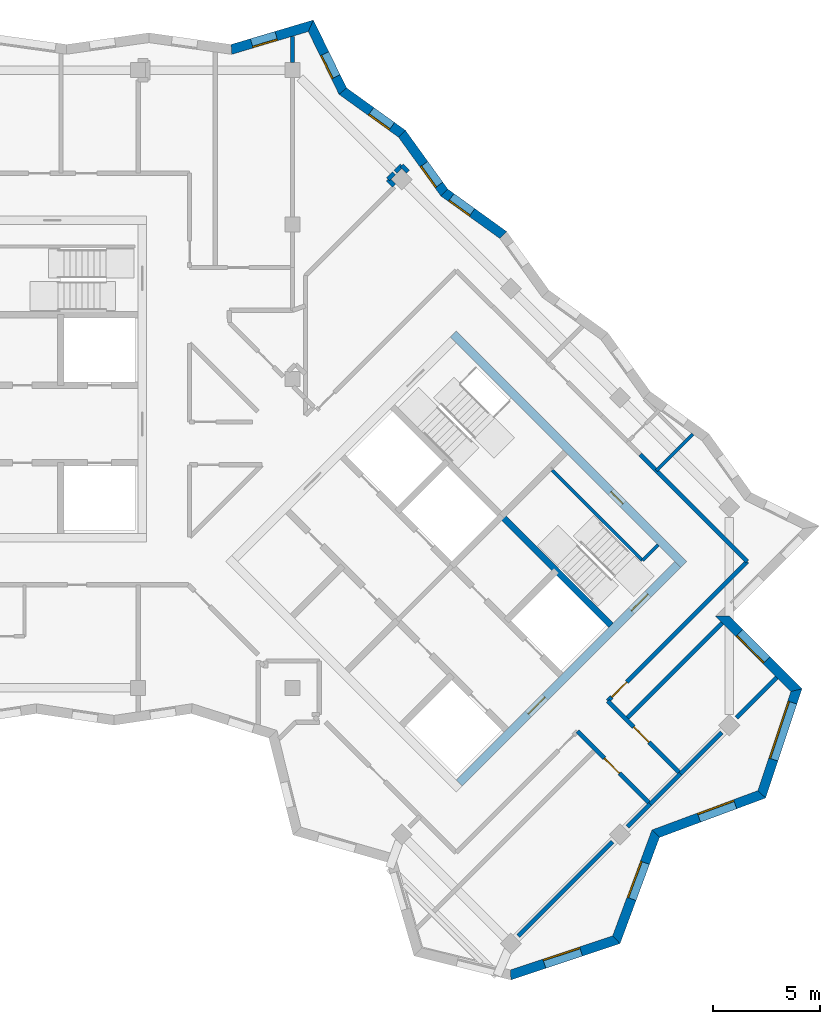
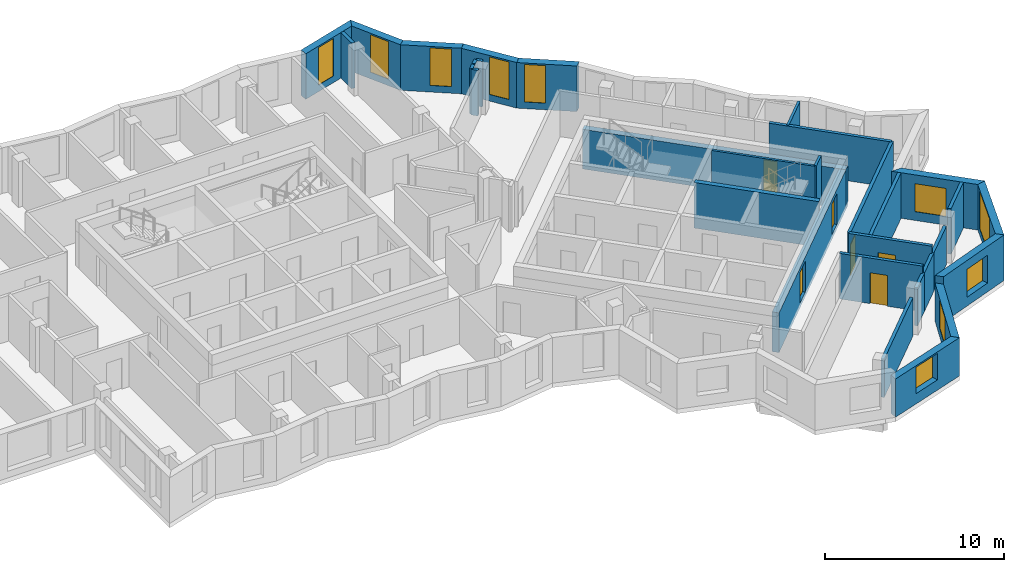
# One storey, part 7 of 11: 31 walls, 10 windows, 6 doors, 16 openings.
"""IFC4 building model written with IfcOpenShell, lengths in metres."""

from ifc_helpers import new_model, si_unit, direction, frame, frame_2d, origin, place, context, subcontext, project, spatial, polyline, rectangle, outline, extrude, material, layer, layer_set, type_object, element, fill, save


model = new_model("IFC4")

# Units and contexts
model_context = context("Model", 3, precision=1e-05, world=origin(), true_north=direction((0.0, 1.0)))
body_context = subcontext(model_context, "Body", "Model", "MODEL_VIEW")
ifc_project = project(units=[si_unit("LENGTHUNIT", "METRE"), si_unit("AREAUNIT", "SQUARE_METRE"), si_unit("VOLUMEUNIT", "CUBIC_METRE"), si_unit("PLANEANGLEUNIT", "RADIAN"), si_unit("MASSUNIT", "GRAM", prefix="KILO")], contexts=[model_context])

# Site, building, storey
site_placement = place(None, origin())
site = spatial("IfcSite", under=ifc_project, at=site_placement, CompositionType="ELEMENT")
building_placement = place(site_placement, origin())
building = spatial("IfcBuilding", under=site, at=building_placement, Name="Windrow Commons", CompositionType="ELEMENT")
storey_placement = place(building_placement, frame((0.0, 0.0, 271.0)))
storey = spatial("IfcBuildingStorey", under=building, at=storey_placement, Name="L74", CompositionType="ELEMENT", Elevation=271.0)

# Wall, opening, window
ifc_material_1 = material(Name="Brick masonry, red clay brick", Category="masonry")
ifc_layer_1 = layer(ifc_material_1, 0.45)
ifc_layer_set_1 = layer_set([ifc_layer_1], Name="Brick facade wall 450")
wall_type_1 = type_object("IfcWallType", Name="Brick facade wall 450", PredefinedType="SOLIDWALL", material=ifc_layer_set_1)
wall_1_placement = place(storey_placement, frame((89.3732, 29.8077, 0.0), z_axis=(0.0, 0.0, 1.0), x_axis=(0.9486832981, 0.316227766, 0.0)))
wall_1 = element("IfcWall", 1, at=wall_1_placement, inside=storey, type_object=wall_type_1, Name="Brick facade wall L74 1", PredefinedType="SOLIDWALL", context=body_context, shape_type="SweptSolid", body=[
    extrude(outline(polyline([(-0.0654, -0.225), (5.3012, -0.225), (5.0856, 0.225), (0.0654, 0.225), (-0.0654, -0.225)])), origin(), (0.0, 0.0, 1.0), 2.6),
])
opening_1_placement = place(wall_1_placement, frame((1.6581, 0.0, 0.7)))
opening_1 = element("IfcOpeningElement", 2, at=opening_1_placement, cuts=wall_1, Name="Opening W1M", PredefinedType="OPENING", context=body_context, shape_type="SweptSolid", body=[
    extrude(rectangle(XDim=1.8, YDim=1.8, at=frame_2d((0.9, 0.9))), frame((0.0, 0.235, 0.0), z_axis=(0.0, -1.0, 0.0), x_axis=(1.0, 0.0, 0.0)), (0.0, 0.0, 1.0), 0.47),
])
ifc_material_2 = material(Name="Clear float glass in anodised aluminium frame", Category="aluminium")
window_type_1 = type_object("IfcWindowType", Name="Window W1M bedroom 1800x1800", PartitioningType="SINGLE_PANEL", PredefinedType="WINDOW", material=ifc_material_2)
window_1_placement = place(opening_1_placement, origin())
window_1 = element("IfcWindow", 3, at=window_1_placement, inside=storey, type_object=window_type_1, Name="Window L74 1.1", OverallHeight=1.8, OverallWidth=1.8, PartitioningType="SINGLE_PANEL", PredefinedType="WINDOW", context=body_context, shape_type="SweptSolid", body=[
    extrude(rectangle(XDim=1.8, YDim=1.8, at=frame_2d((0.9, 0.9))), frame((0.0, 0.205, 0.0), z_axis=(0.0, -1.0, 0.0), x_axis=(1.0, 0.0, 0.0)), (0.0, 0.0, 1.0), 0.06),
])
fill(opening_1, window_1)

wall_2_placement = place(storey_placement, frame((94.3001, 31.45, 0.0), z_axis=(0.0, 0.0, 1.0), x_axis=(0.3481927166, 0.9374229739, 0.0)))
wall_2 = element("IfcWall", 4, at=wall_2_placement, inside=storey, type_object=wall_type_1, Name="Brick facade wall L74 2", PredefinedType="SOLIDWALL", context=body_context, shape_type="SweptSolid", body=[
    extrude(outline(polyline([(-0.1078, -0.225), (5.1724, -0.225), (5.3786, 0.225), (0.1078, 0.225), (-0.1078, -0.225)])), origin(), (0.0, 0.0, 1.0), 2.6),
])
opening_2_placement = place(wall_2_placement, frame((2.0336, 0.0, 0.6)))
opening_2 = element("IfcOpeningElement", 5, at=opening_2_placement, cuts=wall_2, Name="Opening W1L", PredefinedType="OPENING", context=body_context, shape_type="SweptSolid", body=[
    extrude(rectangle(XDim=1.8, YDim=1.9, at=frame_2d((0.9, 0.95))), frame((0.0, 0.235, 0.0), z_axis=(0.0, -1.0, 0.0), x_axis=(1.0, 0.0, 0.0)), (0.0, 0.0, 1.0), 0.47),
])
ifc_material_3 = material(Name="Clear float glass in anodised aluminium frame", Category="aluminium")
window_type_2 = type_object("IfcWindowType", Name="Window W1L bedroom 1800x1900", PartitioningType="SINGLE_PANEL", PredefinedType="WINDOW", material=ifc_material_3)
window_2_placement = place(opening_2_placement, origin())
window_2 = element("IfcWindow", 6, at=window_2_placement, inside=storey, type_object=window_type_2, Name="Window L74 2.1", OverallHeight=1.9, OverallWidth=1.8, PartitioningType="SINGLE_PANEL", PredefinedType="WINDOW", context=body_context, shape_type="SweptSolid", body=[
    extrude(rectangle(XDim=1.8, YDim=1.9, at=frame_2d((0.9, 0.95))), frame((0.0, 0.205, 0.0), z_axis=(0.0, -1.0, 0.0), x_axis=(1.0, 0.0, 0.0)), (0.0, 0.0, 1.0), 0.06),
])
fill(opening_2, window_2)

wall_3_placement = place(storey_placement, frame((96.137, 36.3954, 0.0), z_axis=(0.0, 0.0, 1.0), x_axis=(0.937429161, 0.3481760591, 0.0)))
wall_3 = element("IfcWall", 7, at=wall_3_placement, inside=storey, type_object=wall_type_1, Name="Brick facade wall L74 3", PredefinedType="SOLIDWALL", context=body_context, shape_type="SweptSolid", body=[
    extrude(outline(polyline([(0.1031, -0.225), (5.3833, -0.225), (5.1677, 0.225), (-0.1031, 0.225), (0.1031, -0.225)])), origin(), (0.0, 0.0, 1.0), 3.1),
])
opening_3_placement = place(wall_3_placement, frame((2.1509, 0.0, 0.6)))
opening_3 = element("IfcOpeningElement", 8, at=opening_3_placement, cuts=wall_3, Name="Opening W1L", PredefinedType="OPENING", context=body_context, shape_type="SweptSolid", body=[
    extrude(rectangle(XDim=1.8, YDim=1.9, at=frame_2d((0.9, 0.95))), frame((0.0, 0.235, 0.0), z_axis=(0.0, -1.0, 0.0), x_axis=(1.0, 0.0, 0.0)), (0.0, 0.0, 1.0), 0.47),
])
window_3_placement = place(opening_3_placement, origin())
window_3 = element("IfcWindow", 9, at=window_3_placement, inside=storey, type_object=window_type_2, Name="Window L74 3.1", OverallHeight=1.9, OverallWidth=1.8, PartitioningType="SINGLE_PANEL", PredefinedType="WINDOW", context=body_context, shape_type="SweptSolid", body=[
    extrude(rectangle(XDim=1.8, YDim=1.9, at=frame_2d((0.9, 0.95))), frame((0.0, 0.205, 0.0), z_axis=(0.0, -1.0, 0.0), x_axis=(1.0, 0.0, 0.0)), (0.0, 0.0, 1.0), 0.06),
])
fill(opening_3, window_3)

wall_4_placement = place(storey_placement, frame((101.0824, 38.2322, 0.0), z_axis=(0.0, 0.0, 1.0), x_axis=(0.316227766, 0.9486832981, 0.0)))
wall_4 = element("IfcWall", 10, at=wall_4_placement, inside=storey, type_object=wall_type_1, Name="Brick facade wall L74 4", PredefinedType="SOLIDWALL", context=body_context, shape_type="SweptSolid", body=[
    extrude(outline(polyline([(-0.1078, -0.225), (5.2588, -0.225), (4.9807, 0.225), (0.1078, 0.225), (-0.1078, -0.225)])), origin(), (0.0, 0.0, 1.0), 3.1),
])
opening_4_placement = place(wall_4_placement, frame((1.7112, 0.0, 0.45)))
opening_4 = element("IfcOpeningElement", 11, at=opening_4_placement, cuts=wall_4, Name="Opening W1V", PredefinedType="OPENING", context=body_context, shape_type="SweptSolid", body=[
    extrude(rectangle(XDim=2.8, YDim=2.55, at=frame_2d((1.4, 1.275))), frame((0.0, 0.235, 0.0), z_axis=(0.0, -1.0, 0.0), x_axis=(1.0, 0.0, 0.0)), (0.0, 0.0, 1.0), 0.47),
])
ifc_material_4 = material(Name="Clear float glass in anodised aluminium frame", Category="aluminium")
window_type_3 = type_object("IfcWindowType", Name="Window W1V bedroom 2800x2550", PartitioningType="SINGLE_PANEL", PredefinedType="WINDOW", material=ifc_material_4)
window_4_placement = place(opening_4_placement, origin())
window_4 = element("IfcWindow", 12, at=window_4_placement, inside=storey, type_object=window_type_3, Name="Window L74 4.1", OverallHeight=2.55, OverallWidth=2.8, PartitioningType="SINGLE_PANEL", PredefinedType="WINDOW", context=body_context, shape_type="SweptSolid", body=[
    extrude(rectangle(XDim=2.8, YDim=2.55, at=frame_2d((1.4, 1.275))), frame((0.0, 0.205, 0.0), z_axis=(0.0, -1.0, 0.0), x_axis=(1.0, 0.0, 0.0)), (0.0, 0.0, 1.0), 0.06),
])
fill(opening_4, window_4)

wall_5_placement = place(storey_placement, frame((102.7014, 43.0892, 0.0), z_axis=(0.0, 0.0, 1.0), x_axis=(-0.7070965479, 0.7071170144, 0.0)))
wall_5 = element("IfcWall", 13, at=wall_5_placement, inside=storey, type_object=wall_type_1, Name="Brick facade wall L74 5", PredefinedType="SOLIDWALL", context=body_context, shape_type="SweptSolid", body=[
    extrude(outline(polyline([(-0.1391, -0.225), (4.661, -0.225), (5.111, 0.225), (0.1391, 0.225), (-0.1391, -0.225)])), origin(), (0.0, 0.0, 1.0), 3.1),
])
opening_5_placement = place(wall_5_placement, frame((1.9735, 0.0, 0.6)))
opening_5 = element("IfcOpeningElement", 14, at=opening_5_placement, cuts=wall_5, Name="Opening W1L", PredefinedType="OPENING", context=body_context, shape_type="SweptSolid", body=[
    extrude(rectangle(XDim=1.8, YDim=1.9, at=frame_2d((0.9, 0.95))), frame((0.0, 0.235, 0.0), z_axis=(0.0, -1.0, 0.0), x_axis=(1.0, 0.0, 0.0)), (0.0, 0.0, 1.0), 0.47),
])
window_5_placement = place(opening_5_placement, origin())
window_5 = element("IfcWindow", 15, at=window_5_placement, inside=storey, type_object=window_type_2, Name="Window L74 5.1", OverallHeight=1.9, OverallWidth=1.8, PartitioningType="SINGLE_PANEL", PredefinedType="WINDOW", context=body_context, shape_type="SweptSolid", body=[
    extrude(rectangle(XDim=1.8, YDim=1.9, at=frame_2d((0.9, 0.95))), frame((0.0, 0.205, 0.0), z_axis=(0.0, -1.0, 0.0), x_axis=(1.0, 0.0, 0.0)), (0.0, 0.0, 1.0), 0.06),
])
fill(opening_5, window_5)

wall_6_placement = place(storey_placement, frame((89.0232, 64.3181, 0.0), z_axis=(0.0, 0.0, 1.0), x_axis=(-0.8113362462, 0.5845797599, 0.0)))
wall_6 = element("IfcWall", 16, at=wall_6_placement, inside=storey, type_object=wall_type_1, Name="Brick facade wall L74 13", PredefinedType="SOLIDWALL", context=body_context, shape_type="SweptSolid", body=[
    extrude(outline(polyline([(-0.0365, -0.225), (3.3442, -0.225), (3.4173, 0.225), (0.0365, 0.225), (-0.0365, -0.225)])), origin(), (0.0, 0.0, 1.0), 3.1),
])
opening_6_placement = place(wall_6_placement, frame((1.7897, 0.0, 0.45)))
opening_6 = element("IfcOpeningElement", 17, at=opening_6_placement, cuts=wall_6, Name="Opening W7F", PredefinedType="OPENING", context=body_context, shape_type="SweptSolid", body=[
    extrude(rectangle(XDim=1.2, YDim=2.55, at=frame_2d((0.6, 1.275))), frame((0.0, 0.235, 0.0), z_axis=(0.0, -1.0, 0.0), x_axis=(1.0, 0.0, 0.0)), (0.0, 0.0, 1.0), 0.47),
])
ifc_material_5 = material(Name="Clear float glass in anodised aluminium frame", Category="aluminium")
window_type_4 = type_object("IfcWindowType", Name="Window W7 notch 1200x2550", PartitioningType="SINGLE_PANEL", PredefinedType="WINDOW", material=ifc_material_5)
window_6_placement = place(opening_6_placement, origin())
window_6 = element("IfcWindow", 18, at=window_6_placement, inside=storey, type_object=window_type_4, Name="Window L74 13.1", OverallHeight=2.55, OverallWidth=1.2, PartitioningType="SINGLE_PANEL", PredefinedType="WINDOW", context=body_context, shape_type="SweptSolid", body=[
    extrude(rectangle(XDim=1.2, YDim=2.55, at=frame_2d((0.6, 1.275))), frame((0.0, 0.205, 0.0), z_axis=(0.0, -1.0, 0.0), x_axis=(1.0, 0.0, 0.0)), (0.0, 0.0, 1.0), 0.06),
])
fill(opening_6, window_6)

wall_7_placement = place(storey_placement, frame((86.2803, 66.2944, 0.0), z_axis=(0.0, 0.0, 1.0), x_axis=(-0.5845992306, 0.8113222169, 0.0)))
wall_7 = element("IfcWall", 19, at=wall_7_placement, inside=storey, type_object=wall_type_1, Name="Brick facade wall L74 14", PredefinedType="SOLIDWALL", context=body_context, shape_type="SweptSolid", body=[
    extrude(outline(polyline([(0.0365, -0.225), (3.4173, -0.225), (3.3442, 0.225), (-0.0365, 0.225), (0.0365, -0.225)])), origin(), (0.0, 0.0, 1.0), 3.1),
])
opening_7_placement = place(wall_7_placement, frame((0.4325, 0.0, 0.45)))
opening_7 = element("IfcOpeningElement", 20, at=opening_7_placement, cuts=wall_7, Name="Opening W7F", PredefinedType="OPENING", context=body_context, shape_type="SweptSolid", body=[
    extrude(rectangle(XDim=1.2, YDim=2.55, at=frame_2d((0.6, 1.275))), frame((0.0, 0.235, 0.0), z_axis=(0.0, -1.0, 0.0), x_axis=(1.0, 0.0, 0.0)), (0.0, 0.0, 1.0), 0.47),
])
window_7_placement = place(opening_7_placement, origin())
window_7 = element("IfcWindow", 21, at=window_7_placement, inside=storey, type_object=window_type_4, Name="Window L74 14.1", OverallHeight=2.55, OverallWidth=1.2, PartitioningType="SINGLE_PANEL", PredefinedType="WINDOW", context=body_context, shape_type="SweptSolid", body=[
    extrude(rectangle(XDim=1.2, YDim=2.55, at=frame_2d((0.6, 1.275))), frame((0.0, 0.205, 0.0), z_axis=(0.0, -1.0, 0.0), x_axis=(1.0, 0.0, 0.0)), (0.0, 0.0, 1.0), 0.06),
])
fill(opening_7, window_7)

wall_8_placement = place(storey_placement, frame((84.3039, 69.0373, 0.0), z_axis=(0.0, 0.0, 1.0), x_axis=(-0.8113122888, 0.5846130088, 0.0)))
wall_8 = element("IfcWall", 22, at=wall_8_placement, inside=storey, type_object=wall_type_1, Name="Brick facade wall L74 15", PredefinedType="SOLIDWALL", context=body_context, shape_type="SweptSolid", body=[
    extrude(outline(polyline([(-0.0365, -0.225), (3.3442, -0.225), (3.4569, 0.225), (0.0365, 0.225), (-0.0365, -0.225)])), origin(), (0.0, 0.0, 1.0), 3.1),
])
opening_8_placement = place(wall_8_placement, frame((0.584, 0.0, 0.45)))
opening_8 = element("IfcOpeningElement", 23, at=opening_8_placement, cuts=wall_8, Name="Opening W7F", PredefinedType="OPENING", context=body_context, shape_type="SweptSolid", body=[
    extrude(rectangle(XDim=1.2, YDim=2.55, at=frame_2d((0.6, 1.275))), frame((0.0, 0.235, 0.0), z_axis=(0.0, -1.0, 0.0), x_axis=(1.0, 0.0, 0.0)), (0.0, 0.0, 1.0), 0.47),
])
window_8_placement = place(opening_8_placement, origin())
window_8 = element("IfcWindow", 24, at=window_8_placement, inside=storey, type_object=window_type_4, Name="Window L74 15.1", OverallHeight=2.55, OverallWidth=1.2, PartitioningType="SINGLE_PANEL", PredefinedType="WINDOW", context=body_context, shape_type="SweptSolid", body=[
    extrude(rectangle(XDim=1.2, YDim=2.55, at=frame_2d((0.6, 1.275))), frame((0.0, 0.205, 0.0), z_axis=(0.0, -1.0, 0.0), x_axis=(1.0, 0.0, 0.0)), (0.0, 0.0, 1.0), 0.06),
])
fill(opening_8, window_8)

wall_9_placement = place(storey_placement, frame((81.545, 71.0253, 0.0), z_axis=(0.0, 0.0, 1.0), x_axis=(-0.4400668213, 0.8979650287, 0.0)))
wall_9 = element("IfcWall", 25, at=wall_9_placement, inside=storey, type_object=wall_type_1, Name="Brick facade wall L74 16", PredefinedType="SOLIDWALL", context=body_context, shape_type="SweptSolid", body=[
    extrude(outline(polyline([(0.0563, -0.225), (3.5833, -0.225), (3.2026, 0.225), (-0.0563, 0.225), (0.0563, -0.225)])), origin(), (0.0, 0.0, 1.0), 3.1),
])
opening_9_placement = place(wall_9_placement, frame((0.7405, 0.0, 0.45)))
opening_9 = element("IfcOpeningElement", 26, at=opening_9_placement, cuts=wall_9, Name="Opening W7F", PredefinedType="OPENING", context=body_context, shape_type="SweptSolid", body=[
    extrude(rectangle(XDim=1.2, YDim=2.55, at=frame_2d((0.6, 1.275))), frame((0.0, 0.235, 0.0), z_axis=(0.0, -1.0, 0.0), x_axis=(1.0, 0.0, 0.0)), (0.0, 0.0, 1.0), 0.47),
])
window_9_placement = place(opening_9_placement, origin())
window_9 = element("IfcWindow", 27, at=window_9_placement, inside=storey, type_object=window_type_4, Name="Window L74 16.1", OverallHeight=2.55, OverallWidth=1.2, PartitioningType="SINGLE_PANEL", PredefinedType="WINDOW", context=body_context, shape_type="SweptSolid", body=[
    extrude(rectangle(XDim=1.2, YDim=2.55, at=frame_2d((0.6, 1.275))), frame((0.0, 0.205, 0.0), z_axis=(0.0, -1.0, 0.0), x_axis=(1.0, 0.0, 0.0)), (0.0, 0.0, 1.0), 0.06),
])
fill(opening_9, window_9)

wall_10_placement = place(storey_placement, frame((80.0519, 74.072, 0.0), z_axis=(0.0, 0.0, 1.0), x_axis=(-0.9584412894, -0.2852898434, 0.0)))
wall_10 = element("IfcWall", 28, at=wall_10_placement, inside=storey, type_object=wall_type_1, Name="Brick facade wall L74 17", PredefinedType="SOLIDWALL", context=body_context, shape_type="SweptSolid", body=[
    extrude(outline(polyline([(-0.1904, -0.225), (3.8126, -0.225), (3.9108, 0.225), (0.1904, 0.225), (-0.1904, -0.225)])), origin(), (0.0, 0.0, 1.0), 3.1),
])
opening_10_placement = place(wall_10_placement, frame((1.6752, 0.0, 0.45)))
opening_10 = element("IfcOpeningElement", 29, at=opening_10_placement, cuts=wall_10, Name="Opening W7F", PredefinedType="OPENING", context=body_context, shape_type="SweptSolid", body=[
    extrude(rectangle(XDim=1.2, YDim=2.55, at=frame_2d((0.6, 1.275))), frame((0.0, 0.235, 0.0), z_axis=(0.0, -1.0, 0.0), x_axis=(1.0, 0.0, 0.0)), (0.0, 0.0, 1.0), 0.47),
])
window_10_placement = place(opening_10_placement, origin())
window_10 = element("IfcWindow", 30, at=window_10_placement, inside=storey, type_object=window_type_4, Name="Window L74 17.1", OverallHeight=2.55, OverallWidth=1.2, PartitioningType="SINGLE_PANEL", PredefinedType="WINDOW", context=body_context, shape_type="SweptSolid", body=[
    extrude(rectangle(XDim=1.2, YDim=2.55, at=frame_2d((0.6, 1.275))), frame((0.0, 0.205, 0.0), z_axis=(0.0, -1.0, 0.0), x_axis=(1.0, 0.0, 0.0)), (0.0, 0.0, 1.0), 0.06),
])
fill(opening_10, window_10)

# Wall, opening, door
ifc_material_6 = material(Name="Blockwork partition", Category="masonry")
ifc_layer_2 = layer(ifc_material_6, 0.2)
ifc_layer_set_2 = layer_set([ifc_layer_2], Name="IW-CORRIDOR-200")
wall_type_2 = type_object("IfcWallType", Name="IW-CORRIDOR-200", PredefinedType="PARTITIONING", material=ifc_layer_set_2)
wall_11_placement = place(storey_placement, frame((93.9079, 42.5861, 0.0), z_axis=(0.0, 0.0, 1.0), x_axis=(0.7071067812, 0.7071067812, 0.0)))
wall_11 = element("IfcWall", 31, at=wall_11_placement, inside=storey, type_object=wall_type_2, Name="W-L74-W011", PredefinedType="PARTITIONING", context=body_context, shape_type="SweptSolid", body=[
    extrude(rectangle(XDim=9.198, YDim=0.2, at=frame_2d((4.599, 0.0))), origin(), (0.0, 0.0, 1.0), 3.1),
])
opening_11_placement = place(wall_11_placement, frame((0.2541, 0.0, 0.0)))
opening_11 = element("IfcOpeningElement", 32, at=opening_11_placement, cuts=wall_11, Name="Opening D310F", PredefinedType="OPENING", context=body_context, shape_type="SweptSolid", body=[
    extrude(rectangle(XDim=1.0, YDim=2.1, at=frame_2d((0.5, 1.05))), frame((0.0, 0.11, 0.0), z_axis=(0.0, -1.0, 0.0), x_axis=(1.0, 0.0, 0.0)), (0.0, 0.0, 1.0), 0.22),
])
ifc_material_7 = material(Name="Timber door leaf", Category="wood")
door_type_1 = type_object("IfcDoorType", Name="DT-AMENITY-1000", OperationType="SINGLE_SWING_LEFT", PredefinedType="DOOR", material=ifc_material_7)
door_1_placement = place(opening_11_placement, origin())
door_1 = element("IfcDoor", 33, at=door_1_placement, inside=storey, type_object=door_type_1, Name="D-L74-D030", OperationType="SINGLE_SWING_RIGHT", OverallHeight=2.1, OverallWidth=1.0, PredefinedType="DOOR", context=body_context, shape_type="SweptSolid", body=[
    extrude(rectangle(XDim=1.0, YDim=2.1, at=frame_2d((0.5, 1.05))), frame((0.0, 0.025, 0.0), z_axis=(0.0, -1.0, 0.0), x_axis=(1.0, 0.0, 0.0)), (0.0, 0.0, 1.0), 0.05),
])
fill(opening_11, door_1)

# Wall
wall_12_placement = place(storey_placement, frame((95.4193, 54.0773, 0.0), z_axis=(0.0, 0.0, 1.0), x_axis=(0.7071067812, -0.7071067812, 0.0)))
element("IfcWall", 34, at=wall_12_placement, inside=storey, type_object=wall_type_2, Name="W-L74-W015", PredefinedType="PARTITIONING", context=body_context, shape_type="SweptSolid", body=[
    extrude(rectangle(XDim=7.0569, YDim=0.2, at=frame_2d((3.5284, 0.0))), origin(), (0.0, 0.0, 1.0), 3.1),
])

# Wall, opening, door
wall_13_placement = place(storey_placement, frame((93.9049, 42.5809, 0.0), z_axis=(0.0, 0.0, 1.0), x_axis=(0.7071067812, -0.7071067812, 0.0)))
wall_13 = element("IfcWall", 35, at=wall_13_placement, inside=storey, type_object=wall_type_2, Name="W-L74-W034", PredefinedType="PARTITIONING", context=body_context, shape_type="SweptSolid", body=[
    extrude(rectangle(XDim=4.7998, YDim=0.2, at=frame_2d((2.3999, 0.0))), origin(), (0.0, 0.0, 1.0), 3.1),
])
opening_12_placement = place(wall_13_placement, frame((1.7071, 0.0, 0.0)))
opening_12 = element("IfcOpeningElement", 36, at=opening_12_placement, cuts=wall_13, Name="Opening D310F", PredefinedType="OPENING", context=body_context, shape_type="SweptSolid", body=[
    extrude(rectangle(XDim=1.0, YDim=2.1, at=frame_2d((0.5, 1.05))), frame((0.0, 0.11, 0.0), z_axis=(0.0, -1.0, 0.0), x_axis=(1.0, 0.0, 0.0)), (0.0, 0.0, 1.0), 0.22),
])
door_2_placement = place(opening_12_placement, origin())
door_2 = element("IfcDoor", 37, at=door_2_placement, inside=storey, type_object=door_type_1, Name="D-L74-D036", OperationType="SINGLE_SWING_RIGHT", OverallHeight=2.1, OverallWidth=1.0, PredefinedType="DOOR", context=body_context, shape_type="SweptSolid", body=[
    extrude(rectangle(XDim=1.0, YDim=2.1, at=frame_2d((0.5, 1.05))), frame((0.0, 0.025, 0.0), z_axis=(0.0, -1.0, 0.0), x_axis=(1.0, 0.0, 0.0)), (0.0, 0.0, 1.0), 0.05),
])
fill(opening_12, door_2)

wall_14_placement = place(storey_placement, frame((92.4907, 41.1667, 0.0), z_axis=(0.0, 0.0, 1.0), x_axis=(0.7071067812, -0.7071067812, 0.0)))
wall_14 = element("IfcWall", 38, at=wall_14_placement, inside=storey, type_object=wall_type_2, Name="W-L74-W035", PredefinedType="PARTITIONING", context=body_context, shape_type="SweptSolid", body=[
    extrude(rectangle(XDim=4.7998, YDim=0.2, at=frame_2d((2.3999, 0.0))), origin(), (0.0, 0.0, 1.0), 3.1),
])
opening_13_placement = place(wall_14_placement, frame((1.7671, 0.0, 0.0)))
opening_13 = element("IfcOpeningElement", 39, at=opening_13_placement, cuts=wall_14, Name="Opening D310F", PredefinedType="OPENING", context=body_context, shape_type="SweptSolid", body=[
    extrude(rectangle(XDim=1.0, YDim=2.1, at=frame_2d((0.5, 1.05))), frame((0.0, 0.11, 0.0), z_axis=(0.0, -1.0, 0.0), x_axis=(1.0, 0.0, 0.0)), (0.0, 0.0, 1.0), 0.22),
])
door_3_placement = place(opening_13_placement, origin())
door_3 = element("IfcDoor", 40, at=door_3_placement, inside=storey, type_object=door_type_1, Name="D-L74-D035", OperationType="SINGLE_SWING_LEFT", OverallHeight=2.1, OverallWidth=1.0, PredefinedType="DOOR", context=body_context, shape_type="SweptSolid", body=[
    extrude(rectangle(XDim=1.0, YDim=2.1, at=frame_2d((0.5, 1.05))), frame((0.0, 0.025, 0.0), z_axis=(0.0, -1.0, 0.0), x_axis=(1.0, 0.0, 0.0)), (0.0, 0.0, 1.0), 0.05),
])
fill(opening_13, door_3)

# Walls
wall_15_placement = place(storey_placement, frame((95.887, 37.777, 0.0), z_axis=(0.0, 0.0, 1.0), x_axis=(0.7071067812, 0.7071067812, 0.0)))
element("IfcWall", 41, at=wall_15_placement, inside=storey, type_object=wall_type_2, Name="W-L74-W081", PredefinedType="PARTITIONING", context=body_context, shape_type="SweptSolid", body=[
    extrude(rectangle(XDim=1.9997, YDim=0.2, at=frame_2d((0.9999, 0.0))), origin(), (0.0, 0.0, 1.0), 2.6),
])
ifc_material_8 = material(Name="Blockwork partition", Category="masonry")
ifc_layer_3 = layer(ifc_material_8, 0.15)
ifc_layer_set_3 = layer_set([ifc_layer_3], Name="IW-ENSUITE-150")
wall_type_3 = type_object("IfcWallType", Name="IW-ENSUITE-150", PredefinedType="PARTITIONING", material=ifc_layer_set_3)
wall_16_placement = place(storey_placement, frame((96.1693, 53.3327, 0.0), z_axis=(0.0, 0.0, 1.0), x_axis=(0.7071067812, 0.7071067812, 0.0)))
element("IfcWall", 42, at=wall_16_placement, inside=storey, type_object=wall_type_3, Name="W-L74-W073", PredefinedType="PARTITIONING", context=body_context, shape_type="SweptSolid", body=[
    extrude(rectangle(XDim=2.4012, YDim=0.15, at=frame_2d((1.2006, 0.0))), origin(), (0.0, 0.0, 1.0), 3.1),
])
ifc_material_9 = material(Name="Blockwork partition", Category="masonry")
ifc_layer_4 = layer(ifc_material_9, 0.2)
ifc_layer_set_4 = layer_set([ifc_layer_4], Name="IW-PARTY-200")
wall_type_4 = type_object("IfcWallType", Name="IW-PARTY-200", PredefinedType="PARTITIONING", material=ifc_layer_set_4)
wall_17_placement = place(storey_placement, frame((94.7554, 41.7366, 0.0), z_axis=(0.0, 0.0, 1.0), x_axis=(0.7071146549, 0.7070989073, 0.0)))
element("IfcWall", 43, at=wall_17_placement, inside=storey, type_object=wall_type_4, Name="W-L74-W021", PredefinedType="PARTITIONING", context=body_context, shape_type="SweptSolid", body=[
    extrude(rectangle(XDim=6.3502, YDim=0.2, at=frame_2d((3.1751, 0.0))), origin(), (0.0, 0.0, 1.0), 3.1),
])
wall_18_placement = place(storey_placement, frame((89.731, 31.621, 0.0), z_axis=(0.0, 0.0, 1.0), x_axis=(0.7071067812, 0.7071067812, 0.0)))
element("IfcWall", 44, at=wall_18_placement, inside=storey, type_object=wall_type_4, Name="W-L74-W022", PredefinedType="PARTITIONING", context=body_context, shape_type="SweptSolid", body=[
    extrude(rectangle(XDim=6.2112, YDim=0.2, at=frame_2d((3.1056, 0.0))), origin(), (0.0, 0.0, 1.0), 2.6),
])
wall_19_placement = place(storey_placement, frame((97.301, 39.191, 0.0), z_axis=(0.0, 0.0, 1.0), x_axis=(0.7071067812, 0.7071067812, 0.0)))
element("IfcWall", 45, at=wall_19_placement, inside=storey, type_object=wall_type_4, Name="W-L74-W063", PredefinedType="PARTITIONING", context=body_context, shape_type="SweptSolid", body=[
    extrude(rectangle(XDim=2.7068, YDim=0.2, at=frame_2d((1.3534, 0.0))), origin(), (0.0, 0.0, 1.0), 2.6),
])
wall_20_placement = place(storey_placement, frame((99.913, 41.803, 0.0), z_axis=(0.0, 0.0, 1.0), x_axis=(0.7071067812, 0.7071067812, 0.0)))
element("IfcWall", 46, at=wall_20_placement, inside=storey, type_object=wall_type_4, Name="W-L74-W065", PredefinedType="PARTITIONING", context=body_context, shape_type="SweptSolid", body=[
    extrude(rectangle(XDim=2.6562, YDim=0.2, at=frame_2d((1.3281, 0.0))), origin(), (0.0, 0.0, 1.0), 3.1),
])
wall_21_placement = place(storey_placement, frame((94.823, 36.713, 0.0), z_axis=(0.0, 0.0, 1.0), x_axis=(0.7071067812, 0.7071067812, 0.0)))
element("IfcWall", 47, at=wall_21_placement, inside=storey, type_object=wall_type_4, Name="W-L74-W090", PredefinedType="PARTITIONING", context=body_context, shape_type="SweptSolid", body=[
    extrude(rectangle(XDim=1.5047, YDim=0.2, at=frame_2d((0.7523, 0.0))), origin(), (0.0, 0.0, 1.0), 2.6),
])
wall_22_placement = place(storey_placement, frame((79.2, 72.35, 0.0), z_axis=(0.0, 0.0, 1.0), x_axis=(0.0, 1.0, 0.0)))
element("IfcWall", 48, at=wall_22_placement, inside=storey, type_object=wall_type_4, Name="W-L74-W092", PredefinedType="PARTITIONING", context=body_context, shape_type="SweptSolid", body=[
    extrude(rectangle(XDim=1.2337, YDim=0.2, at=frame_2d((0.6169, 0.0))), origin(), (0.0, 0.0, 1.0), 3.1),
])
for number, where, z_axis, x_axis, name in (
    (49, (84.2951, 67.5491, 0.0), (0.0, 0.0, 1.0), (0.7071067812, -0.7071067812, 0.0), "W-L74-W120"),
    (50, (83.6511, 66.9069, 0.0), (0.0, 0.0, 1.0), (0.7071067812, 0.7071067812, 0.0), "W-L74-W121"),
    (51, (83.6516, 66.9056, 0.0), (0.0, 0.0, 1.0), (0.7071067812, -0.7071067812, 0.0), "W-L74-W122"),
    (52, (84.0031, 67.2589, 0.0), (0.0, 0.0, 1.0), (0.7071067812, 0.7071067812, 0.0), "W-L74-W123"),
):
    element("IfcWall", number, at=place(storey_placement, frame(where, z_axis=z_axis, x_axis=x_axis)), inside=storey, type_object=wall_type_4, Name=name, PredefinedType="PARTITIONING", context=body_context, shape_type="SweptSolid", body=[
        extrude(rectangle(XDim=0.4101, YDim=0.2, at=frame_2d((0.2051, 0.0))), origin(), (0.0, 0.0, 1.0), 3.1),
    ])

# Wall, opening, door
ifc_material_10 = material(Name="Concrete C40/50", Category="concrete")
ifc_layer_5 = layer(ifc_material_10, 0.4)
ifc_layer_set_5 = layer_set([ifc_layer_5], Name="RC CORE WALL 400 C40/50")
wall_type_5 = type_object("IfcWallType", Name="RC CORE WALL 400 C40/50", PredefinedType="SHEAR", material=ifc_layer_set_5)
wall_23_placement = place(storey_placement, frame((86.6953, 59.6963, -0.3), z_axis=(0.0, 0.0, 1.0), x_axis=(0.7071100706, -0.7071034917, 0.0)))
wall_23 = element("IfcWall", 53, at=wall_23_placement, inside=storey, type_object=wall_type_5, Name="Core B wall outer-N", PredefinedType="SHEAR", context=body_context, shape_type="SweptSolid", body=[
    extrude(rectangle(XDim=15.2, YDim=0.4, at=frame_2d((7.6, 0.0))), origin(), (0.0, 0.0, 1.0), 2.7),
])
opening_14_placement = place(wall_23_placement, frame((10.4, 0.0, 0.3)))
opening_14 = element("IfcOpeningElement", 54, at=opening_14_placement, cuts=wall_23, Name="Opening D9", PredefinedType="OPENING", context=body_context, shape_type="SweptSolid", body=[
    extrude(rectangle(XDim=0.8, YDim=2.1, at=frame_2d((0.4, 1.05))), frame((0.0, 0.21, 0.0), z_axis=(0.0, -1.0, 0.0), x_axis=(1.0, 0.0, 0.0)), (0.0, 0.0, 1.0), 0.42),
])
ifc_material_11 = material(Name="Steel fire door leaf", Category="steel")
door_type_2 = type_object("IfcDoorType", Name="Riser access door 800", OperationType="SINGLE_SWING_LEFT", PredefinedType="DOOR", material=ifc_material_11)
door_4_placement = place(opening_14_placement, origin())
door_4 = element("IfcDoor", 55, at=door_4_placement, inside=storey, type_object=door_type_2, Name="Riser access door", OperationType="SINGLE_SWING_RIGHT", OverallHeight=2.1, OverallWidth=0.8, PredefinedType="DOOR", context=body_context, shape_type="SweptSolid", body=[
    extrude(rectangle(XDim=0.8, YDim=2.1, at=frame_2d((0.4, 1.05))), frame((0.0, 0.025, 0.0), z_axis=(0.0, -1.0, 0.0), x_axis=(1.0, 0.0, 0.0)), (0.0, 0.0, 1.0), 0.05),
])
fill(opening_14, door_4)

# Wall, openings, doors
wall_24_placement = place(storey_placement, frame((86.9782, 38.766, -0.3), z_axis=(0.0, 0.0, 1.0), x_axis=(0.7071067812, 0.7071067812, 0.0)))
wall_24 = element("IfcWall", 56, at=wall_24_placement, inside=storey, type_object=wall_type_5, Name="Core B wall outer-E", PredefinedType="SHEAR", context=body_context, shape_type="SweptSolid", body=[
    extrude(rectangle(XDim=14.3999, YDim=0.4, at=frame_2d((7.2, 0.0))), origin(), (0.0, 0.0, 1.0), 2.7),
])
opening_15_placement = place(wall_24_placement, frame((4.55, 0.0, 0.3)))
opening_15 = element("IfcOpeningElement", 57, at=opening_15_placement, cuts=wall_24, Name="Opening D6", PredefinedType="OPENING", context=body_context, shape_type="SweptSolid", body=[
    extrude(rectangle(XDim=1.1, YDim=2.1, at=frame_2d((0.55, 1.05))), frame((0.0, 0.21, 0.0), z_axis=(0.0, -1.0, 0.0), x_axis=(1.0, 0.0, 0.0)), (0.0, 0.0, 1.0), 0.42),
])
opening_16_placement = place(wall_24_placement, frame((11.35, 0.0, 0.3)))
opening_16 = element("IfcOpeningElement", 58, at=opening_16_placement, cuts=wall_24, Name="Opening D7", PredefinedType="OPENING", context=body_context, shape_type="SweptSolid", body=[
    extrude(rectangle(XDim=1.1, YDim=2.1, at=frame_2d((0.55, 1.05))), frame((0.0, 0.21, 0.0), z_axis=(0.0, -1.0, 0.0), x_axis=(1.0, 0.0, 0.0)), (0.0, 0.0, 1.0), 0.42),
])
ifc_material_12 = material(Name="Steel fire door leaf", Category="steel")
door_type_3 = type_object("IfcDoorType", Name="Core lobby door 1100", OperationType="SINGLE_SWING_LEFT", PredefinedType="DOOR", material=ifc_material_12)
door_5_placement = place(opening_15_placement, origin())
door_5 = element("IfcDoor", 59, at=door_5_placement, inside=storey, type_object=door_type_3, Name="Lift lobby door", OperationType="DOUBLE_DOOR_SINGLE_SWING", OverallHeight=2.1, OverallWidth=1.1, PredefinedType="DOOR", context=body_context, shape_type="SweptSolid", body=[
    extrude(rectangle(XDim=1.1, YDim=2.1, at=frame_2d((0.55, 1.05))), frame((0.0, 0.025, 0.0), z_axis=(0.0, -1.0, 0.0), x_axis=(1.0, 0.0, 0.0)), (0.0, 0.0, 1.0), 0.05),
])
fill(opening_15, door_5)
ifc_material_13 = material(Name="Steel fire door leaf", Category="steel")
door_type_4 = type_object("IfcDoorType", Name="Stair door 1100", OperationType="SINGLE_SWING_LEFT", PredefinedType="DOOR", material=ifc_material_13)
door_6_placement = place(opening_16_placement, origin())
door_6 = element("IfcDoor", 60, at=door_6_placement, inside=storey, type_object=door_type_4, Name="Stair door", OperationType="SINGLE_SWING_RIGHT", OverallHeight=2.1, OverallWidth=1.1, PredefinedType="DOOR", context=body_context, shape_type="SweptSolid", body=[
    extrude(rectangle(XDim=1.1, YDim=2.1, at=frame_2d((0.55, 1.05))), frame((0.0, 0.025, 0.0), z_axis=(0.0, -1.0, 0.0), x_axis=(1.0, 0.0, 0.0)), (0.0, 0.0, 1.0), 0.05),
])
fill(opening_16, door_6)

# Walls
ifc_material_14 = material(Name="Concrete C40/50", Category="concrete")
ifc_layer_6 = layer(ifc_material_14, 0.3)
ifc_layer_set_6 = layer_set([ifc_layer_6], Name="RC SHAFT WALL 300 C40/50")
wall_type_6 = type_object("IfcWallType", Name="RC SHAFT WALL 300 C40/50", PredefinedType="SOLIDWALL", material=ifc_layer_set_6)
wall_25_placement = place(storey_placement, frame((88.9581, 51.2111, 0.0), z_axis=(0.0, 0.0, 1.0), x_axis=(0.7070998367, -0.7071137256, 0.0)))
element("IfcWall", 61, at=wall_25_placement, inside=storey, type_object=wall_type_6, Name="Core B wall stair-S2", PredefinedType="SOLIDWALL", context=body_context, shape_type="SweptSolid", body=[
    extrude(rectangle(XDim=7.2, YDim=0.3, at=frame_2d((3.6, 0.0))), origin(), (0.0, 0.0, 1.0), 3.1),
])
ifc_material_15 = material(Name="Blockwork partition", Category="masonry")
ifc_layer_7 = layer(ifc_material_15, 0.15)
ifc_layer_set_7 = layer_set([ifc_layer_7], Name="Riser partition 150")
wall_type_7 = type_object("IfcWallType", Name="Riser partition 150", PredefinedType="PARTITIONING", material=ifc_layer_set_7)
wall_26_placement = place(storey_placement, frame((91.3127, 53.3536, 0.0), z_axis=(0.0, 0.0, 1.0), x_axis=(0.7071067812, -0.7071067812, 0.0)))
element("IfcWall", 62, at=wall_26_placement, inside=storey, type_object=wall_type_7, Name="W-core-strip-B-L74", PredefinedType="PARTITIONING", context=body_context, shape_type="SweptSolid", body=[
    extrude(rectangle(XDim=5.95, YDim=0.15, at=frame_2d((2.975, 0.0))), origin(), (0.0, 0.0, 1.0), 3.1),
])
wall_27_placement = place(storey_placement, frame((95.52, 49.1463, 0.0), z_axis=(0.0, 0.0, 1.0), x_axis=(0.7071067812, 0.7071067812, 0.0)))
element("IfcWall", 63, at=wall_27_placement, inside=storey, type_object=wall_type_7, Name="W-core-stripx-B-L74-1", PredefinedType="PARTITIONING", context=body_context, shape_type="SweptSolid", body=[
    extrude(rectangle(XDim=1.0201, YDim=0.15, at=frame_2d((0.5101, 0.0))), origin(), (0.0, 0.0, 1.0), 3.1),
])

save(model, "model.ifc")
